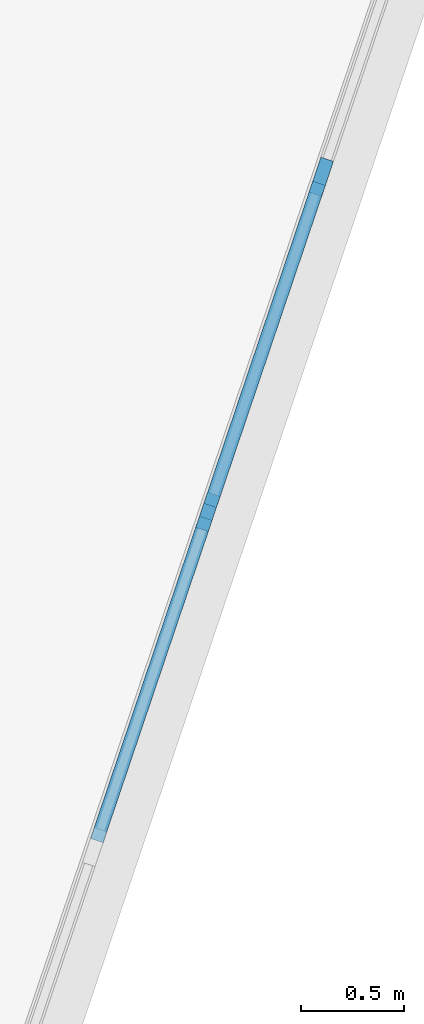
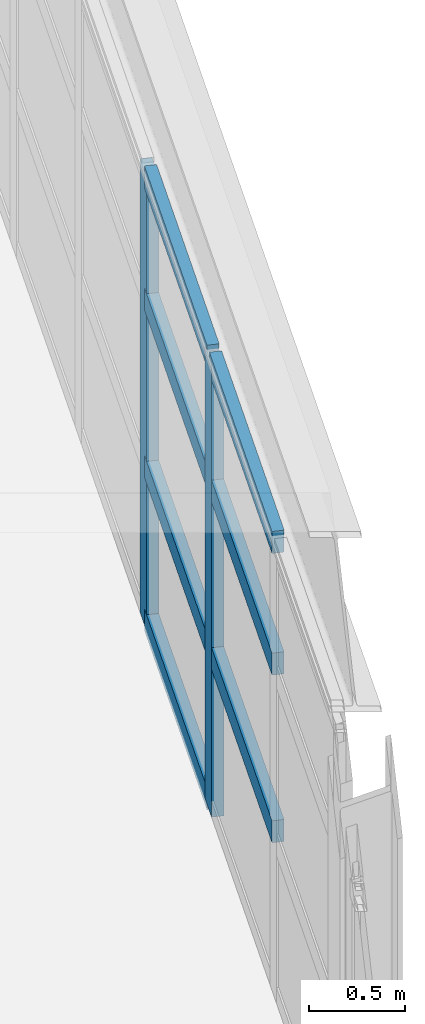
# One storey, part 37 of 102: 9 members, 1 element without a shape of its own.
"""IFC4 building model written with IfcOpenShell, lengths in metres."""

from ifc_helpers import new_model, si_unit, direction, frame, origin, origin_2d, place, context, subcontext, project, spatial, rectangle, extrude, material, layer, layer_set, material_profile, profile_set, type_object, element, aggregate, save


model = new_model("IFC4")

# Units and contexts
model_context = context("Model", 3, precision=1e-05, world=origin(), true_north=direction((0.0, 1.0)))
body_context = subcontext(model_context, "Body", "Model", "MODEL_VIEW")
ifc_project = project(units=[si_unit("LENGTHUNIT", "METRE"), si_unit("AREAUNIT", "SQUARE_METRE"), si_unit("VOLUMEUNIT", "CUBIC_METRE"), si_unit("PLANEANGLEUNIT", "RADIAN"), si_unit("MASSUNIT", "GRAM", prefix="KILO")], contexts=[model_context])

# Site, building, storey
site_placement = place(None, origin())
site = spatial("IfcSite", under=ifc_project, at=site_placement, CompositionType="ELEMENT")
building_placement = place(site_placement, origin())
building = spatial("IfcBuilding", under=site, at=building_placement, Name="Vireo Bluff Cable Station", CompositionType="ELEMENT")
storey_placement = place(building_placement, frame((0.0, 0.0, 9.60009765625)))
storey = spatial("IfcBuildingStorey", under=building, at=storey_placement, Name="L02", CompositionType="ELEMENT", Elevation=9.60009765625)

# Curtain wall, members
ifc_material = material(Name="Anodized Aluminium 6063-T6", Category="aluminium")
ifc_layer = layer(ifc_material, 0.159912109375, Name="Anodized Aluminium 6063-T6")
ifc_layer_set = layer_set([ifc_layer], Name="Anodized Aluminium 6063-T6")
curtain_wall_type = type_object("IfcCurtainWallType", Name="CW-STICK-1750", PredefinedType="USERDEFINED", material=ifc_layer_set)
curtain_wall_placement = place(storey_placement, origin())
curtain_wall = element("IfcCurtainWall", 1, at=curtain_wall_placement, inside=storey, type_object=curtain_wall_type, Name="SKYBR L02 HAUL-DRIVE-2L curtain wall CW-148", ObjectType="STICK CURTAIN WALL", PredefinedType="USERDEFINED")
ifc_material_profile_1 = material_profile(ifc_material, rectangle(XDim=0.06494140625, YDim=0.179931640625, at=origin_2d()), Name="ALU-M-65X180")
ifc_profile_set_1 = profile_set([ifc_material_profile_1], Name="Anodized Aluminium 6063-T6")
member_type_1 = type_object("IfcMemberType", Name="CWM-01", PredefinedType="MULLION", material=ifc_profile_set_1)
member_1_placement = place(storey_placement, frame((116.573486328125, 66.159912109375, 0.0), z_axis=(0.0, 0.0, 1.0), x_axis=(-0.9472950728, 0.320362365221, 0.0)))
member_1 = element("IfcMember", 2, at=member_1_placement, type_object=member_type_1, Name="CW-148 mullion 3", PredefinedType="MULLION", context=body_context, shape_type="SweptSolid", body=[
    extrude(rectangle(XDim=0.06494140625, YDim=0.179931640625, at=origin_2d()), origin(), (0.0, 0.0, 1.0), 2.8798828125),
])
member_2_placement = place(storey_placement, frame((117.12646484375, 67.794677734375, 0.0), z_axis=(0.0, 0.0, 1.0), x_axis=(-0.9472950728, 0.320362365221, 0.0)))
member_2 = element("IfcMember", 3, at=member_2_placement, type_object=member_type_1, Name="CW-148 mullion 4", PredefinedType="MULLION", context=body_context, shape_type="SweptSolid", body=[
    extrude(rectangle(XDim=0.06494140625, YDim=0.179931640625, at=origin_2d()), origin(), (0.0, 0.0, 1.0), 2.8798828125),
])
ifc_material_profile_2 = material_profile(ifc_material, rectangle(XDim=0.06494140625, YDim=0.139892578125, at=origin_2d()), Name="ALU-T-65X140")
ifc_profile_set_2 = profile_set([ifc_material_profile_2], Name="Anodized Aluminium 6063-T6")
member_type_2 = type_object("IfcMemberType", Name="CWT-01", PredefinedType="USERDEFINED", material=ifc_profile_set_2)
member_3_placement = place(storey_placement, frame((116.03125, 64.55615234375, 1.0078125), z_axis=(0.320370895193, 0.947292188036, 0.0), x_axis=(-0.947292188036, 0.320370895193, 0.0)))
member_3 = element("IfcMember", 4, at=member_3_placement, type_object=member_type_2, Name="CW-148 transom 2.2", ObjectType="TRANSOM", PredefinedType="USERDEFINED", context=body_context, shape_type="SweptSolid", body=[
    extrude(rectangle(XDim=0.06494140625, YDim=0.139892578125, at=origin_2d()), origin(), (0.0, 0.0, 1.0), 1.660400390625),
])
member_4_placement = place(storey_placement, frame((116.03125, 64.55615234375, 2.073486328125), z_axis=(0.320370895193, 0.947292188036, 0.0), x_axis=(-0.947292188036, 0.320370895193, 0.0)))
member_4 = element("IfcMember", 5, at=member_4_placement, type_object=member_type_2, Name="CW-148 transom 2.3", ObjectType="TRANSOM", PredefinedType="USERDEFINED", context=body_context, shape_type="SweptSolid", body=[
    extrude(rectangle(XDim=0.06494140625, YDim=0.139892578125, at=origin_2d()), origin(), (0.0, 0.0, 1.0), 1.660400390625),
])
member_5_placement = place(storey_placement, frame((116.03125, 64.55615234375, 2.847412109375), z_axis=(0.320370895193, 0.947292188036, 0.0), x_axis=(-0.947292188036, 0.320370895193, 0.0)))
member_5 = element("IfcMember", 6, at=member_5_placement, type_object=member_type_2, Name="CW-148 transom 2.4", ObjectType="TRANSOM", PredefinedType="USERDEFINED", context=body_context, shape_type="SweptSolid", body=[
    extrude(rectangle(XDim=0.06494140625, YDim=0.139892578125, at=origin_2d()), origin(), (0.0, 0.0, 1.0), 1.660400390625),
])
member_6_placement = place(storey_placement, frame((116.583984375, 66.190673828125, 0.032470703125), z_axis=(0.320326280716, 0.947307275325, 0.0), x_axis=(-0.947307275325, 0.320326280716, 0.0)))
member_6 = element("IfcMember", 7, at=member_6_placement, type_object=member_type_2, Name="CW-148 transom 3.1", ObjectType="TRANSOM", PredefinedType="USERDEFINED", context=body_context, shape_type="SweptSolid", body=[
    extrude(rectangle(XDim=0.06494140625, YDim=0.139892578125, at=origin_2d()), origin(), (0.0, 0.0, 1.0), 1.66064453125),
])
member_7_placement = place(storey_placement, frame((116.583984375, 66.190673828125, 1.0078125), z_axis=(0.320326280716, 0.947307275325, 0.0), x_axis=(-0.947307275325, 0.320326280716, 0.0)))
member_7 = element("IfcMember", 8, at=member_7_placement, type_object=member_type_2, Name="CW-148 transom 3.2", ObjectType="TRANSOM", PredefinedType="USERDEFINED", context=body_context, shape_type="SweptSolid", body=[
    extrude(rectangle(XDim=0.06494140625, YDim=0.139892578125, at=origin_2d()), origin(), (0.0, 0.0, 1.0), 1.66064453125),
])
member_8_placement = place(storey_placement, frame((116.583984375, 66.190673828125, 2.073486328125), z_axis=(0.320326280716, 0.947307275325, 0.0), x_axis=(-0.947307275325, 0.320326280716, 0.0)))
member_8 = element("IfcMember", 9, at=member_8_placement, type_object=member_type_2, Name="CW-148 transom 3.3", ObjectType="TRANSOM", PredefinedType="USERDEFINED", context=body_context, shape_type="SweptSolid", body=[
    extrude(rectangle(XDim=0.06494140625, YDim=0.139892578125, at=origin_2d()), origin(), (0.0, 0.0, 1.0), 1.66064453125),
])
member_9_placement = place(storey_placement, frame((116.583984375, 66.190673828125, 2.847412109375), z_axis=(0.320326280716, 0.947307275325, 0.0), x_axis=(-0.947307275325, 0.320326280716, 0.0)))
member_9 = element("IfcMember", 10, at=member_9_placement, type_object=member_type_2, Name="CW-148 transom 3.4", ObjectType="TRANSOM", PredefinedType="USERDEFINED", context=body_context, shape_type="SweptSolid", body=[
    extrude(rectangle(XDim=0.06494140625, YDim=0.139892578125, at=origin_2d()), origin(), (0.0, 0.0, 1.0), 1.66064453125),
])
aggregate(curtain_wall, [member_1, member_2, member_3, member_4, member_5, member_6, member_7, member_8, member_9])

save(model, "model.ifc")
